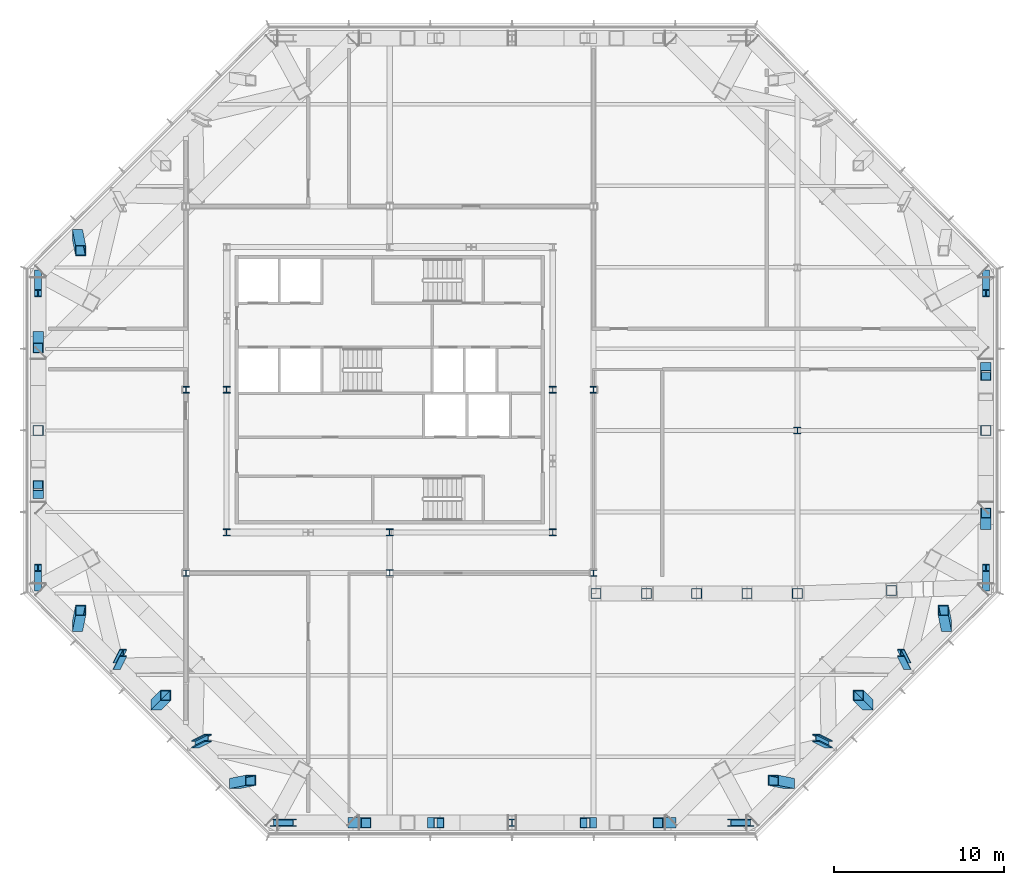
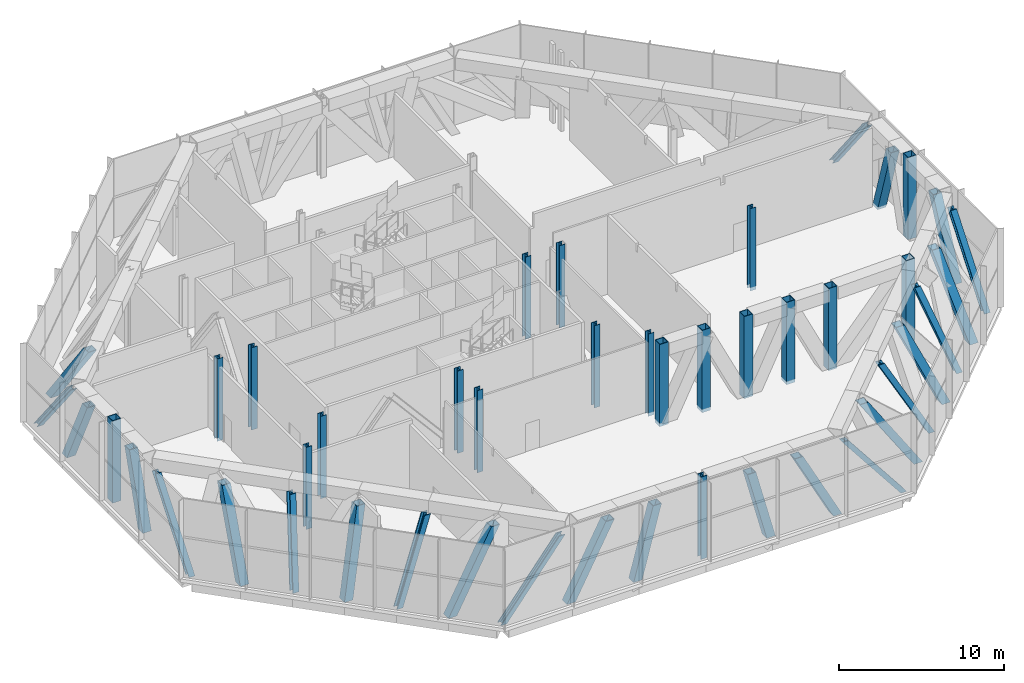
# One storey, part 1 of 18: 45 columns.
"""IFC4 building model written with IfcOpenShell, lengths in metres."""

from ifc_helpers import new_model, si_unit, direction, frame, origin, origin_2d, place, context, subcontext, project, spatial, hollow_rectangle, i_section, extrude, clip, halfspace, material, material_profile, profile_set, type_object, element, save


model = new_model("IFC4")

# Units and contexts
model_context = context("Model", 3, precision=1e-05, world=origin(), true_north=direction((0.0, 1.0)))
body_context = subcontext(model_context, "Body", "Model", "MODEL_VIEW")
ifc_project = project(units=[si_unit("LENGTHUNIT", "METRE"), si_unit("AREAUNIT", "SQUARE_METRE"), si_unit("VOLUMEUNIT", "CUBIC_METRE"), si_unit("PLANEANGLEUNIT", "RADIAN"), si_unit("MASSUNIT", "GRAM", prefix="KILO")], contexts=[model_context])

# Site, building, storey
site_placement = place(None, origin())
site = spatial("IfcSite", under=ifc_project, at=site_placement, CompositionType="ELEMENT")
building_placement = place(site_placement, origin())
building = spatial("IfcBuilding", under=site, at=building_placement, Name="Cairn Pilgrim Tower", CompositionType="ELEMENT")
storey_placement = place(building_placement, frame((0.0, 0.0, 204.60009765625)))
storey = spatial("IfcBuildingStorey", under=building, at=storey_placement, Name="L52", CompositionType="ELEMENT", Elevation=204.60009765625)

# Columns
ifc_material_1 = material(Name="Structural steel S460M", Category="steel")
ifc_material_profile_1 = material_profile(ifc_material_1, hollow_rectangle(XDim=0.60009765625, YDim=0.60009765625, WallThickness=0.034912109375, at=origin_2d()), Name="BOX 600x600x35")
ifc_profile_set_1 = profile_set([ifc_material_profile_1], Name="Structural steel S460M")
column_type_1 = type_object("IfcColumnType", Name="BOX 600x600x35 POST", PredefinedType="USERDEFINED", material=ifc_profile_set_1)
column_1_placement = place(storey_placement, frame((5.048583984375, -23.10009765625, -0.25), z_axis=(0.0, 0.0, 1.0), x_axis=(1.0, 0.0, 0.0)))
element("IfcColumn", 1, at=column_1_placement, inside=storey, type_object=column_type_1, Name="BT52-S-P2", ObjectType="POST", PredefinedType="USERDEFINED", context=body_context, shape_type="Clipping", body=[
    clip(extrude(hollow_rectangle(XDim=0.60009765625, YDim=0.60009765625, WallThickness=0.034912109375, at=origin_2d()), origin(), (0.464552553613, 0.0, 0.885545552149), 6.88818359375), halfspace(frame((0.0, 0.0, 5.199951171875), z_axis=(0.0, 0.0, 1.0), x_axis=(1.0, 0.0, 0.0)), False)),
])
column_2_placement = place(storey_placement, frame((9.724365234375, -23.10009765625, -0.25), z_axis=(0.0, 0.0, 1.0), x_axis=(1.0, 0.0, 0.0)))
element("IfcColumn", 2, at=column_2_placement, inside=storey, type_object=column_type_1, Name="BT52-S-P3", ObjectType="POST", PredefinedType="USERDEFINED", context=body_context, shape_type="Clipping", body=[
    clip(extrude(hollow_rectangle(XDim=0.60009765625, YDim=0.60009765625, WallThickness=0.034912109375, at=origin_2d()), origin(), (0.253696655412, 0.0, 0.967283829614), 6.30615234375), halfspace(frame((0.0, 0.0, 5.199951171875), z_axis=(0.0, 0.0, 1.0), x_axis=(1.0, 0.0, 0.0)), False)),
])
column_3_placement = place(storey_placement, frame((19.07568359375, -23.10009765625, -0.25), z_axis=(0.0, 0.0, 1.0), x_axis=(1.0, 0.0, 0.0)))
element("IfcColumn", 3, at=column_3_placement, inside=storey, type_object=column_type_1, Name="BT52-S-P5", ObjectType="POST", PredefinedType="USERDEFINED", context=body_context, shape_type="Clipping", body=[
    clip(extrude(hollow_rectangle(XDim=0.60009765625, YDim=0.60009765625, WallThickness=0.034912109375, at=origin_2d()), origin(), (-0.253732877712, 0.0, 0.9672743286), 6.30615234375), halfspace(frame((0.0, 0.0, 5.199951171875), z_axis=(0.0, 0.0, 1.0), x_axis=(1.0, 0.0, 0.0)), False)),
])
column_4_placement = place(storey_placement, frame((23.75146484375, -23.10009765625, -0.25), z_axis=(0.0, 0.0, 1.0), x_axis=(1.0, 0.0, 0.0)))
element("IfcColumn", 4, at=column_4_placement, inside=storey, type_object=column_type_1, Name="BT52-S-P6", ObjectType="POST", PredefinedType="USERDEFINED", context=body_context, shape_type="Clipping", body=[
    clip(extrude(hollow_rectangle(XDim=0.60009765625, YDim=0.60009765625, WallThickness=0.034912109375, at=origin_2d()), origin(), (-0.464552553613, 0.0, 0.885545552149), 6.88818359375), halfspace(frame((0.0, 0.0, 5.199951171875), z_axis=(0.0, 0.0, 1.0), x_axis=(1.0, 0.0, 0.0)), False)),
])
column_5_placement = place(storey_placement, frame((30.7392578125, -20.787841796875, -0.25), z_axis=(0.0, 0.0, 1.0), x_axis=(1.0, 0.0, 0.0)))
element("IfcColumn", 5, at=column_5_placement, inside=storey, type_object=column_type_1, Name="BT52-SE-P2", ObjectType="POST", PredefinedType="USERDEFINED", context=body_context, shape_type="Clipping", body=[
    clip(extrude(hollow_rectangle(XDim=0.60009765625, YDim=0.60009765625, WallThickness=0.034912109375, at=origin_2d()), origin(), (-0.545097297547, 0.109026113529, 0.8312534167), 7.338134765625), halfspace(frame((0.0, 0.0, 5.199951171875), z_axis=(0.0, 0.0, 1.0), x_axis=(1.0, 0.0, 0.0)), False)),
])
column_6_placement = place(storey_placement, frame((35.363525390625, -16.16357421875, -0.25), z_axis=(0.0, 0.0, 1.0), x_axis=(1.0, 0.0, 0.0)))
element("IfcColumn", 6, at=column_6_placement, inside=storey, type_object=column_type_1, Name="BT52-SE-P4", ObjectType="POST", PredefinedType="USERDEFINED", context=body_context, shape_type="Clipping", body=[
    clip(extrude(hollow_rectangle(XDim=0.60009765625, YDim=0.60009765625, WallThickness=0.034912109375, at=origin_2d()), origin(), (-0.343801292888, 0.343801292888, 0.873842858881), 6.98046875), halfspace(frame((0.0, 0.0, 5.199951171875), z_axis=(0.0, 0.0, 1.0), x_axis=(1.0, 0.0, 0.0)), False)),
])
column_7_placement = place(storey_placement, frame((39.98779296875, -11.539306640625, -0.25), z_axis=(0.0, 0.0, 1.0), x_axis=(1.0, 0.0, 0.0)))
element("IfcColumn", 7, at=column_7_placement, inside=storey, type_object=column_type_1, Name="BT52-SE-P6", ObjectType="POST", PredefinedType="USERDEFINED", context=body_context, shape_type="Clipping", body=[
    clip(extrude(hollow_rectangle(XDim=0.60009765625, YDim=0.60009765625, WallThickness=0.034912109375, at=origin_2d()), origin(), (-0.108993238723, 0.545099274493, 0.83125643147), 7.338134765625), halfspace(frame((0.0, 0.0, 5.199951171875), z_axis=(0.0, 0.0, 1.0), x_axis=(1.0, 0.0, 0.0)), False)),
])
column_8_placement = place(storey_placement, frame((42.300048828125, -5.536376953125, -0.25), z_axis=(0.0, 0.0, 1.0), x_axis=(1.0, 0.0, 0.0)))
element("IfcColumn", 8, at=column_8_placement, inside=storey, type_object=column_type_1, Name="BT52-E-P2", ObjectType="POST", PredefinedType="USERDEFINED", context=body_context, shape_type="Clipping", body=[
    clip(extrude(hollow_rectangle(XDim=0.60009765625, YDim=0.60009765625, WallThickness=0.034912109375, at=origin_2d()), origin(), (0.0, 0.426962736925, 0.904269219468), 6.74560546875), halfspace(frame((0.0, 0.0, 5.199951171875), z_axis=(0.0, 0.0, 1.0), x_axis=(1.0, 0.0, 0.0)), False)),
])
column_9_placement = place(storey_placement, frame((42.300048828125, 0.0, -0.25), z_axis=(0.0, 0.0, 1.0), x_axis=(1.0, 0.0, 0.0)))
element("IfcColumn", 9, at=column_9_placement, inside=storey, type_object=column_type_1, Name="BT52-E-P3", ObjectType="POST", PredefinedType="USERDEFINED", context=body_context, shape_type="SweptSolid", body=[
    extrude(hollow_rectangle(XDim=0.60009765625, YDim=0.60009765625, WallThickness=0.034912109375, at=origin_2d()), origin(), (0.0, 0.0, 1.0), 6.099853515625),
])
column_10_placement = place(storey_placement, frame((42.300048828125, 3.69091796875, -0.25), z_axis=(0.0, 0.0, 1.0), x_axis=(1.0, 0.0, 0.0)))
element("IfcColumn", 10, at=column_10_placement, inside=storey, type_object=column_type_1, Name="BT52-E-P4", ObjectType="POST", PredefinedType="USERDEFINED", context=body_context, shape_type="Clipping", body=[
    clip(extrude(hollow_rectangle(XDim=0.60009765625, YDim=0.60009765625, WallThickness=0.034912109375, at=origin_2d()), origin(), (0.0, -0.300228626164, 0.953867271706), 6.394775390625), halfspace(frame((0.0, 0.0, 5.199951171875), z_axis=(0.0, 0.0, 1.0), x_axis=(1.0, 0.0, 0.0)), False)),
])
column_11_placement = place(storey_placement, frame((-11.18798828125, 11.539306640625, -0.25), z_axis=(0.0, 0.0, 1.0), x_axis=(1.0, 0.0, 0.0)))
element("IfcColumn", 11, at=column_11_placement, inside=storey, type_object=column_type_1, Name="BT52-NW-P6", ObjectType="POST", PredefinedType="USERDEFINED", context=body_context, shape_type="Clipping", body=[
    clip(extrude(hollow_rectangle(XDim=0.60009765625, YDim=0.60009765625, WallThickness=0.034912109375, at=origin_2d()), origin(), (0.109026113529, -0.545097297547, 0.8312534167), 7.338134765625), halfspace(frame((0.0, 0.0, 5.199951171875), z_axis=(0.0, 0.0, 1.0), x_axis=(1.0, 0.0, 0.0)), False)),
])
column_12_placement = place(storey_placement, frame((-13.5, 5.536376953125, -0.25), z_axis=(0.0, 0.0, 1.0), x_axis=(1.0, 0.0, 0.0)))
element("IfcColumn", 12, at=column_12_placement, inside=storey, type_object=column_type_1, Name="BT52-W-P2", ObjectType="POST", PredefinedType="USERDEFINED", context=body_context, shape_type="Clipping", body=[
    clip(extrude(hollow_rectangle(XDim=0.60009765625, YDim=0.60009765625, WallThickness=0.034912109375, at=origin_2d()), origin(), (0.0, -0.426962736925, 0.904269219468), 6.74560546875), halfspace(frame((0.0, 0.0, 5.199951171875), z_axis=(0.0, 0.0, 1.0), x_axis=(1.0, 0.0, 0.0)), False)),
])
column_13_placement = place(storey_placement, frame((-13.5, 0.0, -0.25), z_axis=(0.0, 0.0, 1.0), x_axis=(1.0, 0.0, 0.0)))
element("IfcColumn", 13, at=column_13_placement, inside=storey, type_object=column_type_1, Name="BT52-W-P3", ObjectType="POST", PredefinedType="USERDEFINED", context=body_context, shape_type="SweptSolid", body=[
    extrude(hollow_rectangle(XDim=0.60009765625, YDim=0.60009765625, WallThickness=0.034912109375, at=origin_2d()), origin(), (0.0, 0.0, 1.0), 6.099853515625),
])
column_14_placement = place(storey_placement, frame((-13.5, -3.69091796875, -0.25), z_axis=(0.0, 0.0, 1.0), x_axis=(1.0, 0.0, 0.0)))
element("IfcColumn", 14, at=column_14_placement, inside=storey, type_object=column_type_1, Name="BT52-W-P4", ObjectType="POST", PredefinedType="USERDEFINED", context=body_context, shape_type="Clipping", body=[
    clip(extrude(hollow_rectangle(XDim=0.60009765625, YDim=0.60009765625, WallThickness=0.034912109375, at=origin_2d()), origin(), (0.0, 0.300228626164, 0.953867271706), 6.394775390625), halfspace(frame((0.0, 0.0, 5.199951171875), z_axis=(0.0, 0.0, 1.0), x_axis=(1.0, 0.0, 0.0)), False)),
])
column_15_placement = place(storey_placement, frame((-11.18798828125, -11.539306640625, -0.25), z_axis=(0.0, 0.0, 1.0), x_axis=(1.0, 0.0, 0.0)))
element("IfcColumn", 15, at=column_15_placement, inside=storey, type_object=column_type_1, Name="BT52-SW-P2", ObjectType="POST", PredefinedType="USERDEFINED", context=body_context, shape_type="Clipping", body=[
    clip(extrude(hollow_rectangle(XDim=0.60009765625, YDim=0.60009765625, WallThickness=0.034912109375, at=origin_2d()), origin(), (0.109026113529, 0.545097297547, 0.8312534167), 7.338134765625), halfspace(frame((0.0, 0.0, 5.199951171875), z_axis=(0.0, 0.0, 1.0), x_axis=(1.0, 0.0, 0.0)), False)),
])
column_16_placement = place(storey_placement, frame((-6.563720703125, -16.16357421875, -0.25), z_axis=(0.0, 0.0, 1.0), x_axis=(1.0, 0.0, 0.0)))
element("IfcColumn", 16, at=column_16_placement, inside=storey, type_object=column_type_1, Name="BT52-SW-P4", ObjectType="POST", PredefinedType="USERDEFINED", context=body_context, shape_type="Clipping", body=[
    clip(extrude(hollow_rectangle(XDim=0.60009765625, YDim=0.60009765625, WallThickness=0.034912109375, at=origin_2d()), origin(), (0.343832133045, 0.343797158766, 0.873832351147), 6.98046875), halfspace(frame((0.0, 0.0, 5.199951171875), z_axis=(0.0, 0.0, 1.0), x_axis=(1.0, 0.0, 0.0)), False)),
])
column_17_placement = place(storey_placement, frame((-1.939208984375, -20.787841796875, -0.25), z_axis=(0.0, 0.0, 1.0), x_axis=(1.0, 0.0, 0.0)))
element("IfcColumn", 17, at=column_17_placement, inside=storey, type_object=column_type_1, Name="BT52-SW-P6", ObjectType="POST", PredefinedType="USERDEFINED", context=body_context, shape_type="Clipping", body=[
    clip(extrude(hollow_rectangle(XDim=0.60009765625, YDim=0.60009765625, WallThickness=0.034912109375, at=origin_2d()), origin(), (0.545097297547, 0.109026113529, 0.8312534167), 7.338134765625), halfspace(frame((0.0, 0.0, 5.199951171875), z_axis=(0.0, 0.0, 1.0), x_axis=(1.0, 0.0, 0.0)), False)),
])
for number, where, z_axis, x_axis, name in (
    (18, (19.35009765625, -9.60009765625, -0.25), (0.0, 0.0, 1.0), (1.0, 0.0, 0.0), "TT52S96-P1"),
    (19, (22.3125, -9.60009765625, -0.25), (0.0, 0.0, 1.0), (1.0, 0.0, 0.0), "TT52S96-P2"),
    (20, (25.27490234375, -9.60009765625, -0.25), (0.0, 0.0, 1.0), (1.0, 0.0, 0.0), "TT52S96-P3"),
    (21, (28.237548828125, -9.60009765625, -0.25), (0.0, 0.0, 1.0), (1.0, 0.0, 0.0), "TT52S96-P4"),
    (22, (31.199951171875, -9.60009765625, -0.25), (0.0, 0.0, 1.0), (1.0, 0.0, 0.0), "TT52S96-P5"),
    (23, (36.75, -9.4140625, -0.25), (0.0, 0.0, 1.0), (1.0, 0.0, 0.0), "TT52S96-P6"),
):
    element("IfcColumn", number, at=place(storey_placement, frame(where, z_axis=z_axis, x_axis=x_axis)), inside=storey, type_object=column_type_1, Name=name, ObjectType="POST", PredefinedType="USERDEFINED", context=body_context, shape_type="SweptSolid", body=[
        extrude(hollow_rectangle(XDim=0.60009765625, YDim=0.60009765625, WallThickness=0.034912109375, at=origin_2d()), origin(), (0.0, 0.0, 1.0), 6.099853515625),
    ])
ifc_material_2 = material(Name="Structural steel S355J2", Category="steel")
ifc_material_profile_2 = material_profile(ifc_material_2, i_section(OverallWidth=0.39892578125, OverallDepth=0.39306640625, WebThickness=0.022705078125, FlangeThickness=0.03662109375, FilletRadius=0.014892578125, at=origin_2d()), Name="HD 400x287")
ifc_profile_set_2 = profile_set([ifc_material_profile_2], Name="Structural steel S355J2")
column_type_2 = type_object("IfcColumnType", Name="HD 400x287", PredefinedType="COLUMN", material=ifc_profile_set_2)
for number, where, z_axis, x_axis, name in (
    (24, (-4.800048828125, -8.39990234375, -0.25), (0.0, 0.0, 1.0), (1.0, 0.0, 0.0), "IC-1"),
    (25, (7.199951171875, -8.39990234375, -0.25), (0.0, 0.0, 1.0), (1.0, 0.0, 0.0), "IC-2"),
    (26, (19.199951171875, -8.39990234375, -0.25), (0.0, 0.0, 1.0), (1.0, 0.0, 0.0), "IC-3"),
    (27, (-4.800048828125, 2.39990234375, -0.25), (0.0, 0.0, 1.0), (1.0, 0.0, 0.0), "IC-4"),
    (28, (19.199951171875, 2.39990234375, -0.25), (0.0, 0.0, 1.0), (1.0, 0.0, 0.0), "IC-5"),
    (29, (31.199951171875, 0.0, -0.25), (0.0, 0.0, 1.0), (1.0, 0.0, 0.0), "WC-WE+0"),
):
    element("IfcColumn", number, at=place(storey_placement, frame(where, z_axis=z_axis, x_axis=x_axis)), inside=storey, type_object=column_type_2, Name=name, PredefinedType="COLUMN", context=body_context, shape_type="SweptSolid", body=[
        extrude(i_section(OverallWidth=0.39892578125, OverallDepth=0.39306640625, WebThickness=0.022705078125, FlangeThickness=0.03662109375, FilletRadius=0.014892578125, at=origin_2d()), origin(), (0.0, 0.0, 1.0), 6.099853515625),
    ])
ifc_material_profile_3 = material_profile(ifc_material_1, i_section(OverallWidth=0.404052734375, OverallDepth=0.406982421875, WebThickness=0.027099609375, FlangeThickness=0.043701171875, FilletRadius=0.014892578125, at=origin_2d()), Name="HD 400x347")
ifc_profile_set_3 = profile_set([ifc_material_profile_3], Name="Structural steel S460M")
column_type_3 = type_object("IfcColumnType", Name="HD 400x347", PredefinedType="COLUMN", material=ifc_profile_set_3)
for number, where, z_axis, x_axis, name in (
    (30, (-2.39990234375, -6.0, -0.25), (0.0, 0.0, 1.0), (1.0, 0.0, 0.0), "KC-1"),
    (31, (7.199951171875, -6.0, -0.25), (0.0, 0.0, 1.0), (1.0, 0.0, 0.0), "KC-2"),
    (32, (16.800048828125, -6.0, -0.25), (0.0, 0.0, 1.0), (1.0, 0.0, 0.0), "KC-3"),
    (33, (-2.39990234375, 2.39990234375, -0.25), (0.0, 0.0, 1.0), (1.0, 0.0, 0.0), "KC-4"),
    (34, (16.800048828125, 2.39990234375, -0.25), (0.0, 0.0, 1.0), (1.0, 0.0, 0.0), "KC-5"),
):
    element("IfcColumn", number, at=place(storey_placement, frame(where, z_axis=z_axis, x_axis=x_axis)), inside=storey, type_object=column_type_3, Name=name, PredefinedType="COLUMN", context=body_context, shape_type="SweptSolid", body=[
        extrude(i_section(OverallWidth=0.404052734375, OverallDepth=0.406982421875, WebThickness=0.027099609375, FlangeThickness=0.043701171875, FilletRadius=0.014892578125, at=origin_2d()), origin(), (0.0, 0.0, 1.0), 6.099853515625),
    ])
ifc_material_profile_4 = material_profile(ifc_material_1, i_section(OverallWidth=0.416015625, OverallDepth=0.446044921875, WebThickness=0.0390625, FlangeThickness=0.062744140625, FilletRadius=0.014892578125, at=origin_2d()), Name="HD 400x509")
ifc_profile_set_4 = profile_set([ifc_material_profile_4], Name="Structural steel S460M")
column_type_4 = type_object("IfcColumnType", Name="HD 400x509 POST", PredefinedType="USERDEFINED", material=ifc_profile_set_4)
column_18_placement = place(storey_placement, frame((0.372802734375, -23.10009765625, -0.25), z_axis=(0.0, 0.0, 1.0), x_axis=(1.0, 0.0, 0.0)))
element("IfcColumn", 35, at=column_18_placement, inside=storey, type_object=column_type_4, Name="BT52-S-P1", ObjectType="POST", PredefinedType="USERDEFINED", context=body_context, shape_type="Clipping", body=[
    clip(extrude(i_section(OverallWidth=0.416015625, OverallDepth=0.446044921875, WebThickness=0.0390625, FlangeThickness=0.062744140625, FilletRadius=0.014892578125, at=origin_2d()), origin(), (0.618403417644, 0.0, 0.785860810225), 7.761962890625), halfspace(frame((0.0, 0.0, 5.199951171875), z_axis=(0.0, 0.0, 1.0), x_axis=(1.0, 0.0, 0.0)), False)),
])
column_19_placement = place(storey_placement, frame((14.39990234375, -23.10009765625, -0.25), z_axis=(0.0, 0.0, 1.0), x_axis=(1.0, 0.0, 0.0)))
element("IfcColumn", 36, at=column_19_placement, inside=storey, type_object=column_type_4, Name="BT52-S-P4", ObjectType="POST", PredefinedType="USERDEFINED", context=body_context, shape_type="SweptSolid", body=[
    extrude(i_section(OverallWidth=0.416015625, OverallDepth=0.446044921875, WebThickness=0.0390625, FlangeThickness=0.062744140625, FilletRadius=0.014892578125, at=origin_2d()), origin(), (0.0, 0.0, 1.0), 6.099853515625),
])
column_20_placement = place(storey_placement, frame((28.42724609375, -23.10009765625, -0.25), z_axis=(0.0, 0.0, 1.0), x_axis=(1.0, 0.0, 0.0)))
element("IfcColumn", 37, at=column_20_placement, inside=storey, type_object=column_type_4, Name="BT52-SE-P1", ObjectType="POST", PredefinedType="USERDEFINED", context=body_context, shape_type="Clipping", body=[
    clip(extrude(i_section(OverallWidth=0.416015625, OverallDepth=0.446044921875, WebThickness=0.0390625, FlangeThickness=0.062744140625, FilletRadius=0.014892578125, at=origin_2d()), origin(), (-0.618403417644, 0.0, 0.785860810225), 7.761962890625), halfspace(frame((0.0, 0.0, 5.199951171875), z_axis=(0.0, 0.0, 1.0), x_axis=(1.0, 0.0, 0.0)), False)),
])
column_21_placement = place(storey_placement, frame((33.051513671875, -18.4755859375, -0.25), z_axis=(0.0, 0.0, 1.0), x_axis=(1.0, 0.0, 0.0)))
element("IfcColumn", 38, at=column_21_placement, inside=storey, type_object=column_type_4, Name="BT52-SE-P3", ObjectType="POST", PredefinedType="USERDEFINED", context=body_context, shape_type="Clipping", body=[
    clip(extrude(i_section(OverallWidth=0.416015625, OverallDepth=0.446044921875, WebThickness=0.0390625, FlangeThickness=0.062744140625, FilletRadius=0.014892578125, at=origin_2d()), origin(), (-0.45250780691, 0.226236641389, 0.862585454769), 7.071533203125), halfspace(frame((0.0, 0.0, 5.199951171875), z_axis=(0.0, 0.0, 1.0), x_axis=(1.0, 0.0, 0.0)), False)),
])
column_22_placement = place(storey_placement, frame((37.67578125, -13.8515625, -0.25), z_axis=(0.0, 0.0, 1.0), x_axis=(1.0, 0.0, 0.0)))
element("IfcColumn", 39, at=column_22_placement, inside=storey, type_object=column_type_4, Name="BT52-SE-P5", ObjectType="POST", PredefinedType="USERDEFINED", context=body_context, shape_type="Clipping", body=[
    clip(extrude(i_section(OverallWidth=0.416015625, OverallDepth=0.446044921875, WebThickness=0.0390625, FlangeThickness=0.062744140625, FilletRadius=0.014892578125, at=origin_2d()), origin(), (-0.226269398088, 0.452504272314, 0.862578717003), 7.071533203125), halfspace(frame((0.0, 0.0, 5.199951171875), z_axis=(0.0, 0.0, 1.0), x_axis=(1.0, 0.0, 0.0)), False)),
])
column_23_placement = place(storey_placement, frame((42.300048828125, -9.227294921875, -0.25), z_axis=(0.0, 0.0, 1.0), x_axis=(1.0, 0.0, 0.0)))
element("IfcColumn", 40, at=column_23_placement, inside=storey, type_object=column_type_4, Name="BT52-E-P1", ObjectType="POST", PredefinedType="USERDEFINED", context=body_context, shape_type="Clipping", body=[
    clip(extrude(i_section(OverallWidth=0.416015625, OverallDepth=0.446044921875, WebThickness=0.0390625, FlangeThickness=0.062744140625, FilletRadius=0.014892578125, at=origin_2d()), origin(), (0.0, 0.618403417644, 0.785860810225), 7.761962890625), halfspace(frame((0.0, 0.0, 5.199951171875), z_axis=(0.0, 0.0, 1.0), x_axis=(1.0, 0.0, 0.0)), False)),
])
for number, where, z_axis, x_axis, name in (
    (41, (42.300048828125, 9.227294921875, -0.25), (0.0, 0.0, 1.0), (1.0, 0.0, 0.0), "BT52-NE-P1"),
    (42, (-13.5, 9.227294921875, -0.25), (0.0, 0.0, 1.0), (1.0, 0.0, 0.0), "BT52-W-P1"),
):
    element("IfcColumn", number, at=place(storey_placement, frame(where, z_axis=z_axis, x_axis=x_axis)), inside=storey, type_object=column_type_4, Name=name, ObjectType="POST", PredefinedType="USERDEFINED", context=body_context, shape_type="Clipping", body=[
        clip(extrude(i_section(OverallWidth=0.416015625, OverallDepth=0.446044921875, WebThickness=0.0390625, FlangeThickness=0.062744140625, FilletRadius=0.014892578125, at=origin_2d()), origin(), (0.0, -0.618403417644, 0.785860810225), 7.761962890625), halfspace(frame((0.0, 0.0, 5.199951171875), z_axis=(0.0, 0.0, 1.0), x_axis=(1.0, 0.0, 0.0)), False)),
    ])
column_24_placement = place(storey_placement, frame((-13.5, -9.227294921875, -0.25), z_axis=(0.0, 0.0, 1.0), x_axis=(1.0, 0.0, 0.0)))
element("IfcColumn", 43, at=column_24_placement, inside=storey, type_object=column_type_4, Name="BT52-SW-P1", ObjectType="POST", PredefinedType="USERDEFINED", context=body_context, shape_type="Clipping", body=[
    clip(extrude(i_section(OverallWidth=0.416015625, OverallDepth=0.446044921875, WebThickness=0.0390625, FlangeThickness=0.062744140625, FilletRadius=0.014892578125, at=origin_2d()), origin(), (0.0, 0.618403417644, 0.785860810225), 7.761962890625), halfspace(frame((0.0, 0.0, 5.199951171875), z_axis=(0.0, 0.0, 1.0), x_axis=(1.0, 0.0, 0.0)), False)),
])
column_25_placement = place(storey_placement, frame((-8.875732421875, -13.8515625, -0.25), z_axis=(0.0, 0.0, 1.0), x_axis=(1.0, 0.0, 0.0)))
element("IfcColumn", 44, at=column_25_placement, inside=storey, type_object=column_type_4, Name="BT52-SW-P3", ObjectType="POST", PredefinedType="USERDEFINED", context=body_context, shape_type="Clipping", body=[
    clip(extrude(i_section(OverallWidth=0.416015625, OverallDepth=0.446044921875, WebThickness=0.0390625, FlangeThickness=0.062744140625, FilletRadius=0.014892578125, at=origin_2d()), origin(), (0.226269398088, 0.452504272314, 0.862578717003), 7.071533203125), halfspace(frame((0.0, 0.0, 5.199951171875), z_axis=(0.0, 0.0, 1.0), x_axis=(1.0, 0.0, 0.0)), False)),
])
column_26_placement = place(storey_placement, frame((-4.25146484375, -18.4755859375, -0.25), z_axis=(0.0, 0.0, 1.0), x_axis=(1.0, 0.0, 0.0)))
element("IfcColumn", 45, at=column_26_placement, inside=storey, type_object=column_type_4, Name="BT52-SW-P5", ObjectType="POST", PredefinedType="USERDEFINED", context=body_context, shape_type="Clipping", body=[
    clip(extrude(i_section(OverallWidth=0.416015625, OverallDepth=0.446044921875, WebThickness=0.0390625, FlangeThickness=0.062744140625, FilletRadius=0.014892578125, at=origin_2d()), origin(), (0.45250780691, 0.226236641389, 0.862585454769), 7.071533203125), halfspace(frame((0.0, 0.0, 5.199951171875), z_axis=(0.0, 0.0, 1.0), x_axis=(1.0, 0.0, 0.0)), False)),
])

save(model, "model.ifc")
